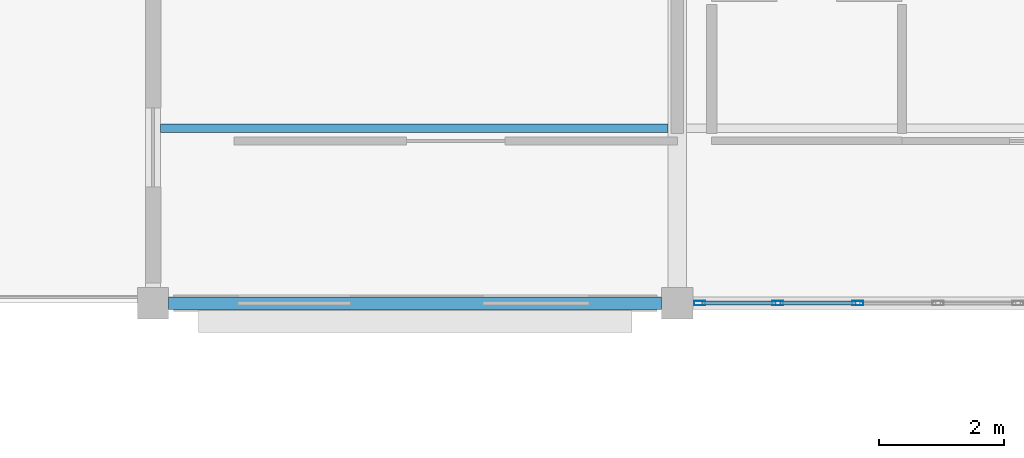
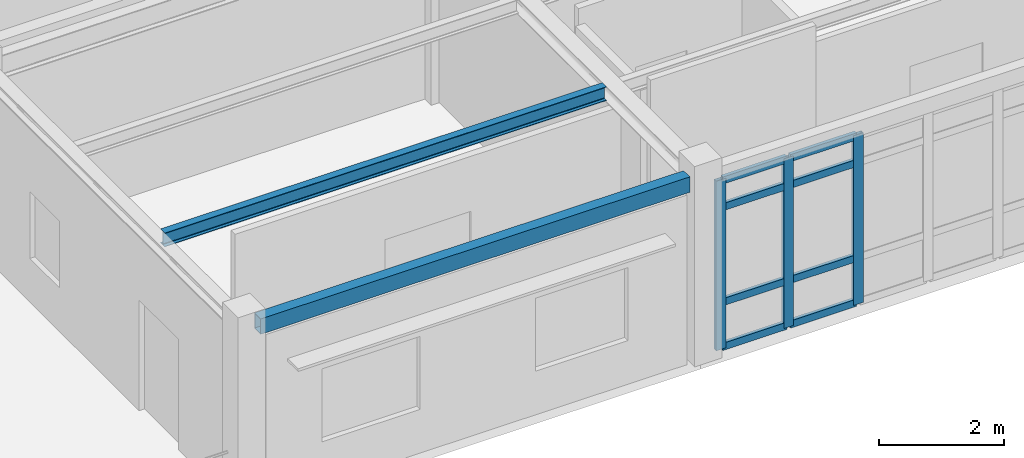
# One storey, part 16 of 70: 11 members, 2 beams, 1 element without a shape of its own.
"""IFC4 building model written with IfcOpenShell, lengths in metres."""

from ifc_helpers import new_model, si_unit, direction, frame, origin, origin_2d, place, context, subcontext, project, spatial, hollow_rectangle, i_section, extrude, material, layer, layer_set, material_profile, profile_set, type_object, element, aggregate, save


model = new_model("IFC4")

# Units and contexts
model_context = context("Model", 3, precision=1e-05, world=origin(), true_north=direction((0.0, 1.0)))
body_context = subcontext(model_context, "Body", "Model", "MODEL_VIEW")
ifc_project = project(units=[si_unit("LENGTHUNIT", "METRE"), si_unit("AREAUNIT", "SQUARE_METRE"), si_unit("VOLUMEUNIT", "CUBIC_METRE"), si_unit("PLANEANGLEUNIT", "RADIAN"), si_unit("MASSUNIT", "GRAM", prefix="KILO")], contexts=[model_context])

# Site, building, storey
site_placement = place(None, origin())
site = spatial("IfcSite", under=ifc_project, at=site_placement, CompositionType="ELEMENT")
building_placement = place(site_placement, origin())
building = spatial("IfcBuilding", under=site, at=building_placement, Name="Bramfleet General Hospital", CompositionType="ELEMENT")
storey_placement = place(building_placement, frame((0.0, 0.0, 22.5)))
storey = spatial("IfcBuildingStorey", under=building, at=storey_placement, Name="L05", CompositionType="ELEMENT", Elevation=22.5)

# Beams
ifc_material_1 = material(Name="Steel S355", Category="steel")
ifc_material_profile_1 = material_profile(ifc_material_1, i_section(OverallWidth=0.135009765625, OverallDepth=0.27001953125, WebThickness=0.006591796875, FlangeThickness=0.01025390625, FilletRadius=0.014892578125, at=origin_2d()), Name="IPE 270")
ifc_profile_set_1 = profile_set([ifc_material_profile_1], Name="Steel S355")
beam_type_1 = type_object("IfcBeamType", Name="BM-IPE270", PredefinedType="JOIST", material=ifc_profile_set_1)
beam_1_placement = place(storey_placement, frame((50.52001953125, 95.199951171875, 3.47509765625), z_axis=(1.0, 0.0, 0.0), x_axis=(0.0, 1.0, 0.0)))
element("IfcBeam", 1, at=beam_1_placement, inside=storey, type_object=beam_type_1, Name="L05 Secondary Joist 06-11-1", PredefinedType="JOIST", context=body_context, shape_type="SweptSolid", body=[
    extrude(i_section(OverallWidth=0.135009765625, OverallDepth=0.27001953125, WebThickness=0.006591796875, FlangeThickness=0.01025390625, FilletRadius=0.014892578125, at=origin_2d()), origin(), (0.0, 0.0, 1.0), 8.1298828125),
])
ifc_material_profile_2 = material_profile(ifc_material_1, hollow_rectangle(XDim=0.199951171875, YDim=0.300048828125, WallThickness=0.012451171875, at=origin_2d()), Name="RHS 300x200x12.5")
ifc_profile_set_2 = profile_set([ifc_material_profile_2], Name="Steel S355")
beam_type_2 = type_object("IfcBeamType", Name="BM-RHS300", PredefinedType="SPANDREL", material=ifc_profile_set_2)
beam_2_placement = place(storey_placement, frame((50.64990234375, 92.39990234375, 3.4599609375), z_axis=(1.0, 0.0, 0.0), x_axis=(0.0, 1.0, 0.0)))
element("IfcBeam", 2, at=beam_2_placement, inside=storey, type_object=beam_type_2, Name="L05 Grid Beam X 06-11", PredefinedType="SPANDREL", context=body_context, shape_type="SweptSolid", body=[
    extrude(hollow_rectangle(XDim=0.199951171875, YDim=0.300048828125, WallThickness=0.012451171875, at=origin_2d()), origin(), (0.0, 0.0, 1.0), 7.900146484375),
])

# Curtain wall, members
ifc_material_2 = material(Name="Anodised aluminium and low-E triple glazing", Category="aluminium")
ifc_layer = layer(ifc_material_2, 0.179931640625, Name="CWT-CW-03")
ifc_layer_set = layer_set([ifc_layer], Name="Anodised aluminium and low-E triple glazing")
curtain_wall_type = type_object("IfcCurtainWallType", Name="CWT-CW-03", PredefinedType="USERDEFINED", material=ifc_layer_set)
curtain_wall_placement = place(storey_placement, origin())
curtain_wall = element("IfcCurtainWall", 3, at=curtain_wall_placement, inside=storey, type_object=curtain_wall_type, Name="L05 Curtain Wall 201", ObjectType="Unitised curtain wall", PredefinedType="USERDEFINED")
ifc_material_3 = material(Name="Anodised aluminium EN AW-6060", Category="aluminium")
ifc_material_profile_3 = material_profile(ifc_material_3, hollow_rectangle(XDim=0.070068359375, YDim=0.179931640625, WallThickness=0.00390625, at=origin_2d()), Name="ALU 180x70x4.0")
ifc_profile_set_3 = profile_set([ifc_material_profile_3], Name="Anodised aluminium EN AW-6060")
member_type_1 = type_object("IfcMemberType", Name="CWM-ALU180", PredefinedType="MULLION", material=ifc_profile_set_3)
member_1_placement = place(storey_placement, frame((61.691650390625, 92.39990234375, 0.0), z_axis=(0.0, 0.0, 1.0), x_axis=(0.0, -1.0, 0.0)))
member_1 = element("IfcMember", 4, at=member_1_placement, type_object=member_type_1, Name="CW-03 mullion 5", PredefinedType="MULLION", context=body_context, shape_type="SweptSolid", body=[
    extrude(hollow_rectangle(XDim=0.070068359375, YDim=0.179931640625, WallThickness=0.00390625, at=origin_2d()), origin(), (0.0, 0.0, 1.0), 3.300048828125),
])
member_2_placement = place(storey_placement, frame((60.408447265625, 92.39990234375, 0.0), z_axis=(0.0, 0.0, 1.0), x_axis=(0.0, -1.0, 0.0)))
member_2 = element("IfcMember", 5, at=member_2_placement, type_object=member_type_1, Name="CW-03 mullion 6", PredefinedType="MULLION", context=body_context, shape_type="SweptSolid", body=[
    extrude(hollow_rectangle(XDim=0.070068359375, YDim=0.179931640625, WallThickness=0.00390625, at=origin_2d()), origin(), (0.0, 0.0, 1.0), 3.300048828125),
])
member_3_placement = place(storey_placement, frame((59.159912109375, 92.39990234375, 0.0), z_axis=(0.0, 0.0, 1.0), x_axis=(0.0, -1.0, 0.0)))
member_3 = element("IfcMember", 6, at=member_3_placement, type_object=member_type_1, Name="CW-03 mullion 7", PredefinedType="MULLION", context=body_context, shape_type="SweptSolid", body=[
    extrude(hollow_rectangle(XDim=0.070068359375, YDim=0.179931640625, WallThickness=0.00390625, at=origin_2d()), origin(), (0.0, 0.0, 1.0), 3.300048828125),
])
ifc_material_profile_4 = material_profile(ifc_material_3, hollow_rectangle(XDim=0.06494140625, YDim=0.139892578125, WallThickness=0.00390625, at=origin_2d()), Name="ALU 140x65x4.0")
ifc_profile_set_4 = profile_set([ifc_material_profile_4], Name="Anodised aluminium EN AW-6060")
member_type_2 = type_object("IfcMemberType", Name="CWT-ALU140", PredefinedType="USERDEFINED", material=ifc_profile_set_4)
member_4_placement = place(storey_placement, frame((61.65673828125, 92.39990234375, 0.032470703125), z_axis=(-1.0, 0.0, 0.0), x_axis=(0.0, -1.0, 0.0)))
member_4 = element("IfcMember", 7, at=member_4_placement, type_object=member_type_2, Name="CW-03 transom 5.1", ObjectType="TRANSOM", PredefinedType="USERDEFINED", context=body_context, shape_type="SweptSolid", body=[
    extrude(hollow_rectangle(XDim=0.06494140625, YDim=0.139892578125, WallThickness=0.00390625, at=origin_2d()), origin(), (0.0, 0.0, 1.0), 1.21337890625),
])
member_5_placement = place(storey_placement, frame((61.65673828125, 92.39990234375, 0.89990234375), z_axis=(-1.0, 0.0, 0.0), x_axis=(0.0, -1.0, 0.0)))
member_5 = element("IfcMember", 8, at=member_5_placement, type_object=member_type_2, Name="CW-03 transom 5.2", ObjectType="TRANSOM", PredefinedType="USERDEFINED", context=body_context, shape_type="SweptSolid", body=[
    extrude(hollow_rectangle(XDim=0.06494140625, YDim=0.139892578125, WallThickness=0.00390625, at=origin_2d()), origin(), (0.0, 0.0, 1.0), 1.21337890625),
])
member_6_placement = place(storey_placement, frame((61.65673828125, 92.39990234375, 2.75), z_axis=(-1.0, 0.0, 0.0), x_axis=(0.0, -1.0, 0.0)))
member_6 = element("IfcMember", 9, at=member_6_placement, type_object=member_type_2, Name="CW-03 transom 5.3", ObjectType="TRANSOM", PredefinedType="USERDEFINED", context=body_context, shape_type="SweptSolid", body=[
    extrude(hollow_rectangle(XDim=0.06494140625, YDim=0.139892578125, WallThickness=0.00390625, at=origin_2d()), origin(), (0.0, 0.0, 1.0), 1.21337890625),
])
member_7_placement = place(storey_placement, frame((61.65673828125, 92.39990234375, 3.267578125), z_axis=(-1.0, 0.0, 0.0), x_axis=(0.0, -1.0, 0.0)))
member_7 = element("IfcMember", 10, at=member_7_placement, type_object=member_type_2, Name="CW-03 transom 5.4", ObjectType="TRANSOM", PredefinedType="USERDEFINED", context=body_context, shape_type="SweptSolid", body=[
    extrude(hollow_rectangle(XDim=0.06494140625, YDim=0.139892578125, WallThickness=0.00390625, at=origin_2d()), origin(), (0.0, 0.0, 1.0), 1.21337890625),
])
member_8_placement = place(storey_placement, frame((60.373291015625, 92.39990234375, 0.032470703125), z_axis=(-1.0, 0.0, 0.0), x_axis=(0.0, -1.0, 0.0)))
member_8 = element("IfcMember", 11, at=member_8_placement, type_object=member_type_2, Name="CW-03 transom 6.1", ObjectType="TRANSOM", PredefinedType="USERDEFINED", context=body_context, shape_type="SweptSolid", body=[
    extrude(hollow_rectangle(XDim=0.06494140625, YDim=0.139892578125, WallThickness=0.00390625, at=origin_2d()), origin(), (0.0, 0.0, 1.0), 1.17822265625),
])
member_9_placement = place(storey_placement, frame((60.373291015625, 92.39990234375, 0.89990234375), z_axis=(-1.0, 0.0, 0.0), x_axis=(0.0, -1.0, 0.0)))
member_9 = element("IfcMember", 12, at=member_9_placement, type_object=member_type_2, Name="CW-03 transom 6.2", ObjectType="TRANSOM", PredefinedType="USERDEFINED", context=body_context, shape_type="SweptSolid", body=[
    extrude(hollow_rectangle(XDim=0.06494140625, YDim=0.139892578125, WallThickness=0.00390625, at=origin_2d()), origin(), (0.0, 0.0, 1.0), 1.17822265625),
])
member_10_placement = place(storey_placement, frame((60.373291015625, 92.39990234375, 2.75), z_axis=(-1.0, 0.0, 0.0), x_axis=(0.0, -1.0, 0.0)))
member_10 = element("IfcMember", 13, at=member_10_placement, type_object=member_type_2, Name="CW-03 transom 6.3", ObjectType="TRANSOM", PredefinedType="USERDEFINED", context=body_context, shape_type="SweptSolid", body=[
    extrude(hollow_rectangle(XDim=0.06494140625, YDim=0.139892578125, WallThickness=0.00390625, at=origin_2d()), origin(), (0.0, 0.0, 1.0), 1.17822265625),
])
member_11_placement = place(storey_placement, frame((60.373291015625, 92.39990234375, 3.267578125), z_axis=(-1.0, 0.0, 0.0), x_axis=(0.0, -1.0, 0.0)))
member_11 = element("IfcMember", 14, at=member_11_placement, type_object=member_type_2, Name="CW-03 transom 6.4", ObjectType="TRANSOM", PredefinedType="USERDEFINED", context=body_context, shape_type="SweptSolid", body=[
    extrude(hollow_rectangle(XDim=0.06494140625, YDim=0.139892578125, WallThickness=0.00390625, at=origin_2d()), origin(), (0.0, 0.0, 1.0), 1.17822265625),
])
aggregate(curtain_wall, [member_1, member_2, member_3, member_4, member_5, member_6, member_7, member_8, member_9, member_10, member_11])

save(model, "model.ifc")
